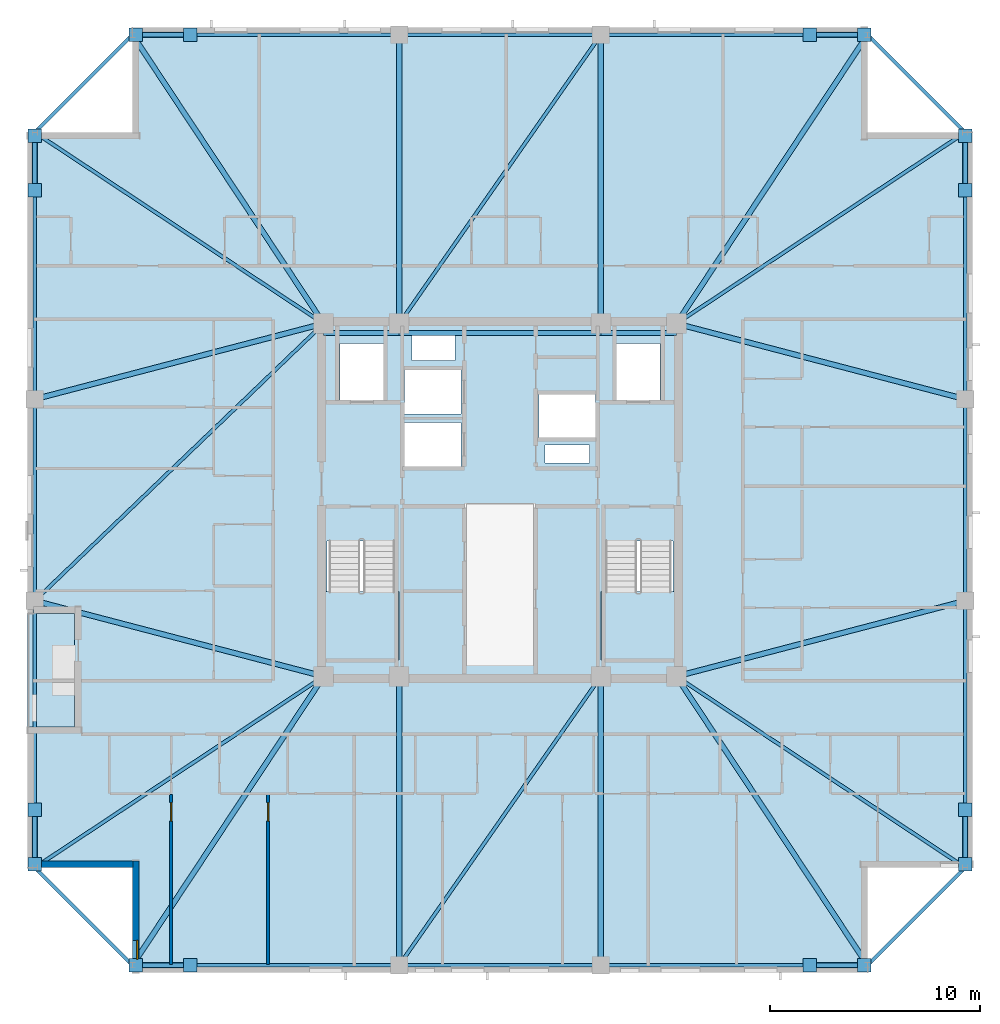
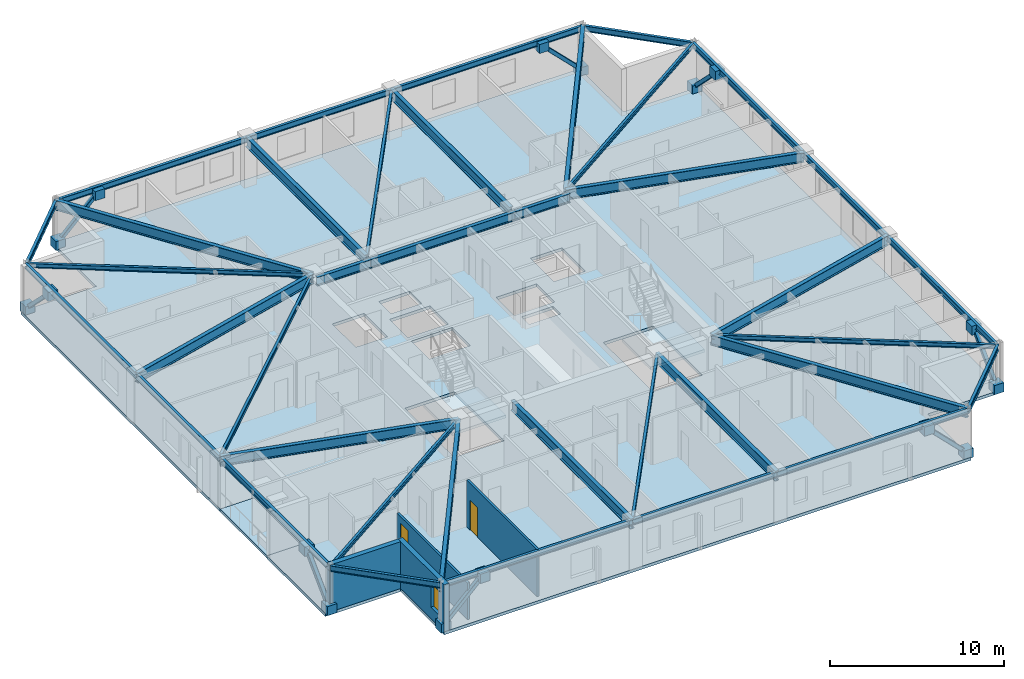
# One storey, part 6 of 16: 38 beams, 16 plates, 8 members, 4 slabs, 4 walls, 2 doors, 1 window, 3 openings, 2 elements without a shape of their own.
"""IFC4 building model written with IfcOpenShell, lengths in metres."""

from ifc_helpers import new_model, si_unit, direction, frame, frame_2d, origin, origin_2d, place, context, subcontext, project, spatial, polyline, rectangle, hollow_rectangle, i_section, outline, extrude, material, layer, layer_set, material_profile, profile_set, type_object, element, fill, aggregate, save


model = new_model("IFC4")

# Units and contexts
model_context = context("Model", 3, precision=1e-05, world=origin(), true_north=direction((0.0, 1.0)))
body_context = subcontext(model_context, "Body", "Model", "MODEL_VIEW")
ifc_project = project(units=[si_unit("LENGTHUNIT", "METRE"), si_unit("AREAUNIT", "SQUARE_METRE"), si_unit("VOLUMEUNIT", "CUBIC_METRE"), si_unit("PLANEANGLEUNIT", "RADIAN"), si_unit("MASSUNIT", "GRAM", prefix="KILO")], contexts=[model_context])

# Site, building, storey
site_placement = place(None, origin())
site = spatial("IfcSite", under=ifc_project, at=site_placement, CompositionType="ELEMENT")
building_placement = place(site_placement, origin())
building = spatial("IfcBuilding", under=site, at=building_placement, Name="Cairnveth Concourse Tower", CompositionType="ELEMENT")
storey_placement = place(building_placement, frame((0.0, 0.0, 255.0)))
storey = spatial("IfcBuildingStorey", under=building, at=storey_placement, Name="L70", CompositionType="ELEMENT", Elevation=255.0)

# Beams
ifc_material_1 = material(Name="Steel Grade 350", Category="steel")
ifc_material_profile_1 = material_profile(ifc_material_1, i_section(OverallWidth=0.22802734375, OverallDepth=0.60693359375, WebThickness=0.01123046875, FlangeThickness=0.017333984375, FilletRadius=0.013916015625, at=origin_2d()), Name="610UB113")
ifc_profile_set_1 = profile_set([ifc_material_profile_1], Name="Steel Grade 350")
beam_type_1 = type_object("IfcBeamType", Name="CORE TIE BEAM 610UB113", PredefinedType="T_BEAM", material=ifc_profile_set_1)
for number, where, z_axis, x_axis, name in (
    (1, (43.60009765625, 46.949951171875, 2.986572265625), (1.0, 0.0, 0.0), (0.0, 1.0, 0.0), "Beam CT-N1 L70"),
    (2, (56.800048828125, 46.949951171875, 2.986572265625), (1.0, 0.0, 0.0), (0.0, 1.0, 0.0), "Beam CT-N3 L70"),
):
    element("IfcBeam", number, at=place(storey_placement, frame(where, z_axis=z_axis, x_axis=x_axis)), inside=storey, type_object=beam_type_1, Name=name, PredefinedType="T_BEAM", context=body_context, shape_type="SweptSolid", body=[
        extrude(i_section(OverallWidth=0.22802734375, OverallDepth=0.60693359375, WebThickness=0.01123046875, FlangeThickness=0.017333984375, FilletRadius=0.013916015625, at=origin_2d()), origin(), (0.0, 0.0, 1.0), 3.599853515625),
    ])
beam_1_placement = place(storey_placement, frame((47.199951171875, 46.949951171875, 2.986572265625), z_axis=(1.0, 0.0, 0.0), x_axis=(0.0, 1.0, 0.0)))
element("IfcBeam", 3, at=beam_1_placement, inside=storey, type_object=beam_type_1, Name="Beam CT-N2 L70", PredefinedType="T_BEAM", context=body_context, shape_type="SweptSolid", body=[
    extrude(i_section(OverallWidth=0.22802734375, OverallDepth=0.60693359375, WebThickness=0.01123046875, FlangeThickness=0.017333984375, FilletRadius=0.013916015625, at=origin_2d()), origin(), (0.0, 0.0, 1.0), 9.60009765625),
])
ifc_material_profile_2 = material_profile(ifc_material_1, i_section(OverallWidth=0.166015625, OverallDepth=0.306884765625, WebThickness=0.006591796875, FlangeThickness=0.01171875, FilletRadius=0.010986328125, at=origin_2d()), Name="310UB46.2")
ifc_profile_set_2 = profile_set([ifc_material_profile_2], Name="Steel Grade 350")
beam_type_2 = type_object("IfcBeamType", Name="ZONE 3 FLOOR JOIST 310UB46.2", PredefinedType="JOIST", material=ifc_profile_set_2)
for number, where, z_axis, x_axis, name in (
    (4, (29.85009765625, 21.5, 3.136474609375), (0.833908956207, 0.551902031848, 0.0), (-0.551902031848, 0.833908956207, 0.0), "Beam FJ-CSW2 L70"),
    (5, (74.14990234375, 21.5, 3.136474609375), (-0.833908956207, 0.551902031848, 0.0), (-0.551902031848, -0.833908956207, 0.0), "Beam FJ-CSE2 L70"),
    (6, (74.14990234375, 56.5, 3.136474609375), (-0.833908956207, -0.551902031848, 0.0), (0.551902031848, -0.833908956207, 0.0), "Beam FJ-CNE2 L70"),
    (7, (29.85009765625, 56.5, 3.136474609375), (0.833908956207, -0.551902031848, 0.0), (0.551902031848, 0.833908956207, 0.0), "Beam FJ-CNW2 L70"),
):
    element("IfcBeam", number, at=place(storey_placement, frame(where, z_axis=z_axis, x_axis=x_axis)), inside=storey, type_object=beam_type_2, Name=name, PredefinedType="JOIST", context=body_context, shape_type="SweptSolid", body=[
        extrude(i_section(OverallWidth=0.166015625, OverallDepth=0.306884765625, WebThickness=0.006591796875, FlangeThickness=0.01171875, FilletRadius=0.010986328125, at=origin_2d()), origin(), (0.0, 0.0, 1.0), 16.488525390625),
    ])
for number, where, z_axis, x_axis, name in (
    (8, (47.199951171875, 16.85009765625, 3.136474609375), (0.572465304893, 0.819928944905, 0.0), (-0.819928944905, 0.572465304893, 0.0), "Beam FJ-S-M1 L70"),
    (9, (47.199951171875, 47.39990234375, 3.136474609375), (0.572465304893, 0.819928944905, 0.0), (-0.819928944905, 0.572465304893, 0.0), "Beam FJ-N-M1 L70"),
):
    element("IfcBeam", number, at=place(storey_placement, frame(where, z_axis=z_axis, x_axis=x_axis)), inside=storey, type_object=beam_type_2, Name=name, PredefinedType="JOIST", context=body_context, shape_type="SweptSolid", body=[
        extrude(i_section(OverallWidth=0.166015625, OverallDepth=0.306884765625, WebThickness=0.006591796875, FlangeThickness=0.01171875, FilletRadius=0.010986328125, at=origin_2d()), origin(), (0.0, 0.0, 1.0), 16.769775390625),
    ])
beam_2_placement = place(storey_placement, frame((29.85009765625, 34.199951171875, 3.136474609375), z_axis=(0.721388600838, 0.692530495055, 0.0), x_axis=(-0.692530495055, 0.721388600838, 0.0)))
element("IfcBeam", 10, at=beam_2_placement, inside=storey, type_object=beam_type_2, Name="Beam FJ-W-M1 L70", PredefinedType="JOIST", context=body_context, shape_type="SweptSolid", body=[
    extrude(i_section(OverallWidth=0.166015625, OverallDepth=0.306884765625, WebThickness=0.006591796875, FlangeThickness=0.01171875, FilletRadius=0.010986328125, at=origin_2d()), origin(), (0.0, 0.0, 1.0), 19.060546875),
])

# Members
ifc_material_2 = material(Name="Steel C350L0 (350 MPa)", Category="steel")
ifc_material_profile_3 = material_profile(ifc_material_2, hollow_rectangle(XDim=0.25, YDim=0.25, WallThickness=0.012451171875, InnerFilletRadius=0.012939453125, OuterFilletRadius=0.02490234375, at=origin_2d()), Name="250x250x12.5SHS")
ifc_profile_set_3 = profile_set([ifc_material_profile_3], Name="Steel C350L0 (350 MPa)")
member_type = type_object("IfcMemberType", Name="ZONE 3 PIER BRACE 250X250X12.5SHS", PredefinedType="BRACE", material=ifc_profile_set_3)
for number, where, z_axis, x_axis, name in (
    (11, (34.64990234375, 16.85009765625, 0.25), (0.708469186186, 0.0, 0.705741746126), (0.0, 1.0, 0.0), "Structural Brace PB-S1 L70"),
    (12, (69.35009765625, 16.85009765625, 0.25), (-0.708469186186, 0.0, 0.705741746126), (0.0, -1.0, 0.0), "Structural Brace PB-S2 L70"),
    (13, (34.64990234375, 61.14990234375, 0.25), (0.708469186186, 0.0, 0.705741746126), (0.0, 1.0, 0.0), "Structural Brace PB-N1 L70"),
    (14, (69.35009765625, 61.14990234375, 0.25), (-0.708469186186, 0.0, 0.705741746126), (0.0, -1.0, 0.0), "Structural Brace PB-N2 L70"),
    (15, (29.85009765625, 21.64990234375, 0.25), (0.0, 0.708469186186, 0.705741746126), (-1.0, 0.0, 0.0), "Structural Brace PB-W1 L70"),
    (16, (29.85009765625, 56.35009765625, 0.25), (0.0, -0.708469186186, 0.705741746126), (1.0, 0.0, 0.0), "Structural Brace PB-W2 L70"),
    (17, (74.14990234375, 21.64990234375, 0.25), (0.0, 0.708469186186, 0.705741746126), (-1.0, 0.0, 0.0), "Structural Brace PB-E1 L70"),
    (18, (74.14990234375, 56.35009765625, 0.25), (0.0, -0.708469186186, 0.705741746126), (1.0, 0.0, 0.0), "Structural Brace PB-E2 L70"),
):
    element("IfcMember", number, at=place(storey_placement, frame(where, z_axis=z_axis, x_axis=x_axis)), inside=storey, type_object=member_type, Name=name, PredefinedType="BRACE", context=body_context, shape_type="SweptSolid", body=[
        extrude(hollow_rectangle(XDim=0.25, YDim=0.25, WallThickness=0.012451171875, InnerFilletRadius=0.012939453125, OuterFilletRadius=0.02490234375, at=origin_2d()), origin(), (0.0, 0.0, 1.0), 3.669921875),
    ])

# Beams
ifc_material_profile_4 = material_profile(ifc_material_1, i_section(OverallWidth=0.25, OverallDepth=0.69189453125, WebThickness=0.010009765625, FlangeThickness=0.02490234375, at=origin_2d()), Name="700WB150")
ifc_profile_set_4 = profile_set([ifc_material_profile_4], Name="Steel Grade 350")
beam_type_3 = type_object("IfcBeamType", Name="ZONE 3 RADIAL GIRDER 700WB150", PredefinedType="BEAM", material=ifc_profile_set_4)
for number, where, z_axis, x_axis, name in (
    (19, (47.199951171875, 16.85009765625, 2.944091796875), (0.0, 1.0, 0.0), (-1.0, 0.0, 0.0), "Beam RG-S1 L70"),
    (20, (56.800048828125, 16.85009765625, 2.944091796875), (0.0, 1.0, 0.0), (-1.0, 0.0, 0.0), "Beam RG-S2 L70"),
    (21, (47.199951171875, 47.39990234375, 2.944091796875), (0.0, 1.0, 0.0), (-1.0, 0.0, 0.0), "Beam RG-N1 L70"),
    (22, (56.800048828125, 47.39990234375, 2.944091796875), (0.0, 1.0, 0.0), (-1.0, 0.0, 0.0), "Beam RG-N2 L70"),
):
    element("IfcBeam", number, at=place(storey_placement, frame(where, z_axis=z_axis, x_axis=x_axis)), inside=storey, type_object=beam_type_3, Name=name, PredefinedType="BEAM", context=body_context, shape_type="SweptSolid", body=[
        extrude(i_section(OverallWidth=0.25, OverallDepth=0.69189453125, WebThickness=0.010009765625, FlangeThickness=0.02490234375, at=origin_2d()), origin(), (0.0, 0.0, 1.0), 13.75),
    ])
for number, where, z_axis, x_axis, name in (
    (23, (29.85009765625, 34.199951171875, 2.944091796875), (0.967395273598, -0.253271365575, 0.0), (0.253271365575, 0.967395273598, 0.0), "Beam RG-W1 L70"),
    (24, (29.85009765625, 43.800048828125, 2.944091796875), (0.967395273598, 0.253271365575, 0.0), (-0.253271365575, 0.967395273598, 0.0), "Beam RG-W2 L70"),
    (25, (60.39990234375, 30.60009765625, 2.944091796875), (0.967395273598, 0.253271365575, 0.0), (-0.253271365575, 0.967395273598, 0.0), "Beam RG-E1 L70"),
    (26, (60.39990234375, 47.39990234375, 2.944091796875), (0.967395273598, -0.253271365575, 0.0), (0.253271365575, 0.967395273598, 0.0), "Beam RG-E2 L70"),
):
    element("IfcBeam", number, at=place(storey_placement, frame(where, z_axis=z_axis, x_axis=x_axis)), inside=storey, type_object=beam_type_3, Name=name, PredefinedType="BEAM", context=body_context, shape_type="SweptSolid", body=[
        extrude(i_section(OverallWidth=0.25, OverallDepth=0.69189453125, WebThickness=0.010009765625, FlangeThickness=0.02490234375, at=origin_2d()), origin(), (0.0, 0.0, 1.0), 14.21337890625),
    ])
for number, where, z_axis, x_axis, name in (
    (27, (34.5, 16.85009765625, 2.944091796875), (0.551902031848, 0.833908956207, 0.0), (-0.833908956207, 0.551902031848, 0.0), "Beam RG-CSW L70"),
    (28, (69.5, 16.85009765625, 2.944091796875), (-0.551902031848, 0.833908956207, 0.0), (-0.833908956207, -0.551902031848, 0.0), "Beam RG-CSE L70"),
    (29, (69.5, 61.14990234375, 2.944091796875), (-0.551902031848, -0.833908956207, 0.0), (0.833908956207, -0.551902031848, 0.0), "Beam RG-CNE L70"),
    (30, (34.5, 61.14990234375, 2.944091796875), (0.551902031848, -0.833908956207, 0.0), (0.833908956207, 0.551902031848, 0.0), "Beam RG-CNW L70"),
):
    element("IfcBeam", number, at=place(storey_placement, frame(where, z_axis=z_axis, x_axis=x_axis)), inside=storey, type_object=beam_type_3, Name=name, PredefinedType="BEAM", context=body_context, shape_type="SweptSolid", body=[
        extrude(i_section(OverallWidth=0.25, OverallDepth=0.69189453125, WebThickness=0.010009765625, FlangeThickness=0.02490234375, at=origin_2d()), origin(), (0.0, 0.0, 1.0), 16.488525390625),
    ])
ifc_material_profile_5 = material_profile(ifc_material_1, i_section(OverallWidth=0.177978515625, OverallDepth=0.406005859375, WebThickness=0.0078125, FlangeThickness=0.0126953125, FilletRadius=0.010986328125, at=origin_2d()), Name="410UB59.7")
ifc_profile_set_5 = profile_set([ifc_material_profile_5], Name="Steel Grade 350")
beam_type_4 = type_object("IfcBeamType", Name="ZONE 3 SPANDREL BEAM 410UB59.7", PredefinedType="SPANDREL", material=ifc_profile_set_5)
beam_3_placement = place(storey_placement, frame((34.5, 16.85009765625, 3.0869140625), z_axis=(1.0, 0.0, 0.0), x_axis=(0.0, 1.0, 0.0)))
element("IfcBeam", 31, at=beam_3_placement, inside=storey, type_object=beam_type_4, Name="Beam SP-S1 L70", PredefinedType="SPANDREL", context=body_context, shape_type="SweptSolid", body=[
    extrude(i_section(OverallWidth=0.177978515625, OverallDepth=0.406005859375, WebThickness=0.0078125, FlangeThickness=0.0126953125, FilletRadius=0.010986328125, at=origin_2d()), origin(), (0.0, 0.0, 1.0), 12.699951171875),
])
beam_4_placement = place(storey_placement, frame((47.199951171875, 16.85009765625, 3.0869140625), z_axis=(1.0, 0.0, 0.0), x_axis=(0.0, 1.0, 0.0)))
element("IfcBeam", 32, at=beam_4_placement, inside=storey, type_object=beam_type_4, Name="Beam SP-S2 L70", PredefinedType="SPANDREL", context=body_context, shape_type="SweptSolid", body=[
    extrude(i_section(OverallWidth=0.177978515625, OverallDepth=0.406005859375, WebThickness=0.0078125, FlangeThickness=0.0126953125, FilletRadius=0.010986328125, at=origin_2d()), origin(), (0.0, 0.0, 1.0), 9.60009765625),
])
for number, where, z_axis, x_axis, name in (
    (33, (56.800048828125, 16.85009765625, 3.0869140625), (1.0, 0.0, 0.0), (0.0, 1.0, 0.0), "Beam SP-S3 L70"),
    (34, (34.5, 61.14990234375, 3.0869140625), (1.0, 0.0, 0.0), (0.0, 1.0, 0.0), "Beam SP-N1 L70"),
):
    element("IfcBeam", number, at=place(storey_placement, frame(where, z_axis=z_axis, x_axis=x_axis)), inside=storey, type_object=beam_type_4, Name=name, PredefinedType="SPANDREL", context=body_context, shape_type="SweptSolid", body=[
        extrude(i_section(OverallWidth=0.177978515625, OverallDepth=0.406005859375, WebThickness=0.0078125, FlangeThickness=0.0126953125, FilletRadius=0.010986328125, at=origin_2d()), origin(), (0.0, 0.0, 1.0), 12.699951171875),
    ])
beam_5_placement = place(storey_placement, frame((47.199951171875, 61.14990234375, 3.0869140625), z_axis=(1.0, 0.0, 0.0), x_axis=(0.0, 1.0, 0.0)))
element("IfcBeam", 35, at=beam_5_placement, inside=storey, type_object=beam_type_4, Name="Beam SP-N2 L70", PredefinedType="SPANDREL", context=body_context, shape_type="SweptSolid", body=[
    extrude(i_section(OverallWidth=0.177978515625, OverallDepth=0.406005859375, WebThickness=0.0078125, FlangeThickness=0.0126953125, FilletRadius=0.010986328125, at=origin_2d()), origin(), (0.0, 0.0, 1.0), 9.60009765625),
])
for number, where, z_axis, x_axis, name in (
    (36, (56.800048828125, 61.14990234375, 3.0869140625), (1.0, 0.0, 0.0), (0.0, 1.0, 0.0), "Beam SP-N3 L70"),
    (37, (29.85009765625, 21.5, 3.0869140625), (0.0, 1.0, 0.0), (-1.0, 0.0, 0.0), "Beam SP-W1 L70"),
):
    element("IfcBeam", number, at=place(storey_placement, frame(where, z_axis=z_axis, x_axis=x_axis)), inside=storey, type_object=beam_type_4, Name=name, PredefinedType="SPANDREL", context=body_context, shape_type="SweptSolid", body=[
        extrude(i_section(OverallWidth=0.177978515625, OverallDepth=0.406005859375, WebThickness=0.0078125, FlangeThickness=0.0126953125, FilletRadius=0.010986328125, at=origin_2d()), origin(), (0.0, 0.0, 1.0), 12.699951171875),
    ])
beam_6_placement = place(storey_placement, frame((29.85009765625, 34.199951171875, 3.0869140625), z_axis=(0.0, 1.0, 0.0), x_axis=(-1.0, 0.0, 0.0)))
element("IfcBeam", 38, at=beam_6_placement, inside=storey, type_object=beam_type_4, Name="Beam SP-W2 L70", PredefinedType="SPANDREL", context=body_context, shape_type="SweptSolid", body=[
    extrude(i_section(OverallWidth=0.177978515625, OverallDepth=0.406005859375, WebThickness=0.0078125, FlangeThickness=0.0126953125, FilletRadius=0.010986328125, at=origin_2d()), origin(), (0.0, 0.0, 1.0), 9.60009765625),
])
for number, where, z_axis, x_axis, name in (
    (39, (29.85009765625, 43.800048828125, 3.0869140625), (0.0, 1.0, 0.0), (-1.0, 0.0, 0.0), "Beam SP-W3 L70"),
    (40, (74.14990234375, 21.5, 3.0869140625), (0.0, 1.0, 0.0), (-1.0, 0.0, 0.0), "Beam SP-E1 L70"),
):
    element("IfcBeam", number, at=place(storey_placement, frame(where, z_axis=z_axis, x_axis=x_axis)), inside=storey, type_object=beam_type_4, Name=name, PredefinedType="SPANDREL", context=body_context, shape_type="SweptSolid", body=[
        extrude(i_section(OverallWidth=0.177978515625, OverallDepth=0.406005859375, WebThickness=0.0078125, FlangeThickness=0.0126953125, FilletRadius=0.010986328125, at=origin_2d()), origin(), (0.0, 0.0, 1.0), 12.699951171875),
    ])
beam_7_placement = place(storey_placement, frame((74.14990234375, 34.199951171875, 3.0869140625), z_axis=(0.0, 1.0, 0.0), x_axis=(-1.0, 0.0, 0.0)))
element("IfcBeam", 41, at=beam_7_placement, inside=storey, type_object=beam_type_4, Name="Beam SP-E2 L70", PredefinedType="SPANDREL", context=body_context, shape_type="SweptSolid", body=[
    extrude(i_section(OverallWidth=0.177978515625, OverallDepth=0.406005859375, WebThickness=0.0078125, FlangeThickness=0.0126953125, FilletRadius=0.010986328125, at=origin_2d()), origin(), (0.0, 0.0, 1.0), 9.60009765625),
])
beam_8_placement = place(storey_placement, frame((74.14990234375, 43.800048828125, 3.0869140625), z_axis=(0.0, 1.0, 0.0), x_axis=(-1.0, 0.0, 0.0)))
element("IfcBeam", 42, at=beam_8_placement, inside=storey, type_object=beam_type_4, Name="Beam SP-E3 L70", PredefinedType="SPANDREL", context=body_context, shape_type="SweptSolid", body=[
    extrude(i_section(OverallWidth=0.177978515625, OverallDepth=0.406005859375, WebThickness=0.0078125, FlangeThickness=0.0126953125, FilletRadius=0.010986328125, at=origin_2d()), origin(), (0.0, 0.0, 1.0), 12.699951171875),
])
for number, where, z_axis, x_axis, name in (
    (43, (29.85009765625, 21.5, 3.0869140625), (0.707106781187, -0.707106781187, 0.0), (0.707106781187, 0.707106781187, 0.0), "Beam SP-SW L70"),
    (44, (69.5, 16.85009765625, 3.0869140625), (0.707106781187, 0.707106781187, 0.0), (-0.707106781187, 0.707106781187, 0.0), "Beam SP-SE L70"),
    (45, (69.5, 61.14990234375, 3.0869140625), (0.707106781187, -0.707106781187, 0.0), (0.707106781187, 0.707106781187, 0.0), "Beam SP-NE L70"),
    (46, (29.85009765625, 56.5, 3.0869140625), (0.707106781187, 0.707106781187, 0.0), (-0.707106781187, 0.707106781187, 0.0), "Beam SP-NW L70"),
):
    element("IfcBeam", number, at=place(storey_placement, frame(where, z_axis=z_axis, x_axis=x_axis)), inside=storey, type_object=beam_type_4, Name=name, PredefinedType="SPANDREL", context=body_context, shape_type="SweptSolid", body=[
        extrude(i_section(OverallWidth=0.177978515625, OverallDepth=0.406005859375, WebThickness=0.0078125, FlangeThickness=0.0126953125, FilletRadius=0.010986328125, at=origin_2d()), origin(), (0.0, 0.0, 1.0), 6.575927734375),
    ])

# Plates
ifc_layer_1 = layer(ifc_material_1, 0.031982421875)
ifc_layer_set_1 = layer_set([ifc_layer_1], Name="Steel Grade 350")
plate_type = type_object("IfcPlateType", Name="PERIMETER BRACE GUSSET PLATE 32", PredefinedType="USERDEFINED", material=ifc_layer_set_1)
for number, where, z_axis, x_axis, name in (
    (47, (34.64990234375, 16.85009765625, -0.06982421875), (0.0, 0.0, 1.0), (1.0, 0.0, 0.0), "Structural Node Plate 1205 L70"),
    (48, (37.25, 16.85009765625, 2.52001953125), (0.0, 0.0, 1.0), (1.0, 0.0, 0.0), "Structural Node Plate 1206 L70"),
    (49, (69.35009765625, 16.85009765625, -0.06982421875), (0.0, 0.0, 1.0), (1.0, 0.0, 0.0), "Structural Node Plate 1207 L70"),
    (50, (66.75, 16.85009765625, 2.52001953125), (0.0, 0.0, 1.0), (1.0, 0.0, 0.0), "Structural Node Plate 1208 L70"),
    (51, (34.64990234375, 61.14990234375, -0.06982421875), (0.0, 0.0, 1.0), (1.0, 0.0, 0.0), "Structural Node Plate 1209 L70"),
    (52, (37.25, 61.14990234375, 2.52001953125), (0.0, 0.0, 1.0), (1.0, 0.0, 0.0), "Structural Node Plate 1210 L70"),
    (53, (69.35009765625, 61.14990234375, -0.06982421875), (0.0, 0.0, 1.0), (1.0, 0.0, 0.0), "Structural Node Plate 1211 L70"),
    (54, (66.75, 61.14990234375, 2.52001953125), (0.0, 0.0, 1.0), (1.0, 0.0, 0.0), "Structural Node Plate 1212 L70"),
    (55, (29.85009765625, 21.64990234375, -0.06982421875), (0.0, 0.0, 1.0), (1.0, 0.0, 0.0), "Structural Node Plate 1213 L70"),
    (56, (29.85009765625, 24.25, 2.52001953125), (0.0, 0.0, 1.0), (1.0, 0.0, 0.0), "Structural Node Plate 1214 L70"),
    (57, (29.85009765625, 56.35009765625, -0.06982421875), (0.0, 0.0, 1.0), (1.0, 0.0, 0.0), "Structural Node Plate 1215 L70"),
    (58, (29.85009765625, 53.75, 2.52001953125), (0.0, 0.0, 1.0), (1.0, 0.0, 0.0), "Structural Node Plate 1216 L70"),
    (59, (74.14990234375, 21.64990234375, -0.06982421875), (0.0, 0.0, 1.0), (1.0, 0.0, 0.0), "Structural Node Plate 1217 L70"),
    (60, (74.14990234375, 24.25, 2.52001953125), (0.0, 0.0, 1.0), (1.0, 0.0, 0.0), "Structural Node Plate 1218 L70"),
    (61, (74.14990234375, 56.35009765625, -0.06982421875), (0.0, 0.0, 1.0), (1.0, 0.0, 0.0), "Structural Node Plate 1219 L70"),
    (62, (74.14990234375, 53.75, 2.52001953125), (0.0, 0.0, 1.0), (1.0, 0.0, 0.0), "Structural Node Plate 1220 L70"),
):
    element("IfcPlate", number, at=place(storey_placement, frame(where, z_axis=z_axis, x_axis=x_axis)), inside=storey, type_object=plate_type, Name=name, ObjectType="GUSSET PLATE", PredefinedType="USERDEFINED", context=body_context, shape_type="SweptSolid", body=[
        extrude(rectangle(XDim=0.639892578125, YDim=0.639892578125, at=origin_2d()), origin(), (0.0, 0.0, 1.0), 0.639892578125),
    ])

# Slab
ifc_material_3 = material(Name="Concrete N50 (50 MPa)", Category="concrete")
ifc_layer_2 = layer(ifc_material_3, 0.18994140625)
ifc_layer_set_2 = layer_set([ifc_layer_2], Name="Concrete N50 (50 MPa)")
slab_type_1 = type_object("IfcSlabType", Name="SPIRAL OUTDOOR TERRACE SLAB 190", PredefinedType="FLOOR", material=ifc_layer_set_2)
slab_1_placement = place(storey_placement, frame((0.0, 0.0, -0.18994140625)))
element("IfcSlab", 63, at=slab_1_placement, inside=storey, type_object=slab_type_1, Name="Spiral Terrace Slab L70", PredefinedType="FLOOR", context=body_context, shape_type="SweptSolid", body=[
    extrude(outline(polyline([(29.5, 28.199951171875), (31.75, 28.199951171875), (31.75, 33.60009765625), (29.5, 33.60009765625), (29.5, 28.199951171875)])), origin(), (0.0, 0.0, 1.0), 0.18994140625),
])

# Stair, slab
ifc_material_4 = material(Name="Precast concrete N50 (50 MPa)", Category="concrete")
stair_type = type_object("IfcStairType", Name="CORE DOG-LEG FIRE STAIR 1500", PredefinedType="HALF_TURN_STAIR", material=ifc_material_4)
stair_1_placement = place(storey_placement, origin())
stair_1 = element("IfcStair", 64, at=stair_1_placement, inside=storey, type_object=stair_type, Name="L70 Fire-Isolated Stair ST-1", PredefinedType="HALF_TURN_STAIR")
ifc_layer_3 = layer(ifc_material_3, 0.199951171875)
ifc_layer_set_3 = layer_set([ifc_layer_3], Name="Concrete N50 (50 MPa)")
slab_type_2 = type_object("IfcSlabType", Name="STAIR HALF LANDING SLAB 200", PredefinedType="LANDING", material=ifc_layer_set_3)
slab_2_placement = place(storey_placement, frame((0.0, 0.0, 1.550048828125)))
slab_2 = element("IfcSlab", 65, at=slab_2_placement, type_object=slab_type_2, Name="ST-1 landing 1", PredefinedType="LANDING", context=body_context, shape_type="SweptSolid", body=[
    extrude(outline(polyline([(43.6201171875, 34.639892578125), (43.6201171875, 31.3701171875), (47.199951171875, 31.3701171875), (47.199951171875, 34.639892578125), (43.6201171875, 34.639892578125)])), origin(), (0.0, 0.0, 1.0), 0.199951171875),
])
aggregate(stair_1, [slab_2])

stair_2_placement = place(storey_placement, origin())
stair_2 = element("IfcStair", 66, at=stair_2_placement, inside=storey, type_object=stair_type, Name="L70 Fire-Isolated Stair ST-2", PredefinedType="HALF_TURN_STAIR")
slab_3_placement = place(storey_placement, frame((0.0, 0.0, 1.550048828125)))
slab_3 = element("IfcSlab", 67, at=slab_3_placement, type_object=slab_type_2, Name="ST-2 landing 1", PredefinedType="LANDING", context=body_context, shape_type="SweptSolid", body=[
    extrude(outline(polyline([(56.800048828125, 34.639892578125), (56.800048828125, 31.3701171875), (60.3798828125, 31.3701171875), (60.3798828125, 34.639892578125), (56.800048828125, 34.639892578125)])), origin(), (0.0, 0.0, 1.0), 0.199951171875),
])
aggregate(stair_2, [slab_3])

# Slab
ifc_layer_4 = layer(ifc_material_3, 0.2099609375)
ifc_layer_set_4 = layer_set([ifc_layer_4], Name="Concrete N50 (50 MPa)")
slab_type_3 = type_object("IfcSlabType", Name="UPPER TOWER COMPOSITE SLAB 210", PredefinedType="FLOOR", material=ifc_layer_set_4)
slab_4_placement = place(storey_placement, frame((0.0, 0.0, -0.2099609375)))
element("IfcSlab", 68, at=slab_4_placement, inside=storey, type_object=slab_type_3, Name="Tower Floor Slab L70", PredefinedType="FLOOR", context=body_context, shape_type="SweptSolid", body=[
    extrude(outline(polyline([(29.5, 33.60009765625), (31.75, 33.60009765625), (31.75, 28.199951171875), (29.5, 28.199951171875), (29.5, 21.5), (34.5, 21.5), (34.5, 16.5), (69.5, 16.5), (69.5, 21.5), (74.5, 21.5), (74.5, 56.5), (69.5, 56.5), (69.5, 61.5), (34.5, 61.5), (34.5, 56.5), (29.5, 56.5), (29.5, 33.60009765625)]), holes=[polyline([(43.760009765625, 31.360107421875), (47.06005859375, 31.360107421875), (47.06005859375, 37.0400390625), (43.760009765625, 37.0400390625), (43.760009765625, 31.360107421875)]), polyline([(56.93994140625, 31.360107421875), (60.239990234375, 31.360107421875), (60.239990234375, 37.0400390625), (56.93994140625, 37.0400390625), (56.93994140625, 31.360107421875)]), polyline([(44.3701171875, 43.75), (46.469970703125, 43.75), (46.469970703125, 46.449951171875), (44.3701171875, 46.449951171875), (44.3701171875, 43.75)]), polyline([(57.530029296875, 43.75), (59.6298828125, 43.75), (59.6298828125, 46.449951171875), (57.530029296875, 46.449951171875), (57.530029296875, 43.75)]), polyline([(47.449951171875, 40.60009765625), (50.14990234375, 40.60009765625), (50.14990234375, 42.699951171875), (47.449951171875, 42.699951171875), (47.449951171875, 40.60009765625)]), polyline([(47.449951171875, 43.10009765625), (50.14990234375, 43.10009765625), (50.14990234375, 45.199951171875), (47.449951171875, 45.199951171875), (47.449951171875, 43.10009765625)]), polyline([(53.85009765625, 41.949951171875), (56.550048828125, 41.949951171875), (56.550048828125, 44.050048828125), (53.85009765625, 44.050048828125), (53.85009765625, 41.949951171875)]), polyline([(47.800048828125, 45.64990234375), (49.85009765625, 45.64990234375), (49.85009765625, 47.050048828125), (47.800048828125, 47.050048828125), (47.800048828125, 45.64990234375)]), polyline([(54.14990234375, 40.75), (56.25, 40.75), (56.25, 41.6201171875), (54.14990234375, 41.6201171875), (54.14990234375, 40.75)])]), origin(), (0.0, 0.0, 1.0), 0.2099609375),
])

# Wall, opening, door
ifc_material_5 = material(Name="Gypsum Plasterboard Partition", Category="gypsum")
ifc_layer_5 = layer(ifc_material_5, 0.139892578125)
ifc_layer_set_5 = layer_set([ifc_layer_5], Name="Gypsum Plasterboard Partition")
wall_type_1 = type_object("IfcWallType", Name="GYPSUM STUD PARTITION 140", PredefinedType="PARTITIONING", material=ifc_layer_set_5)
wall_1_placement = place(storey_placement, frame((36.34130859375, 16.8798828125, 0.0), z_axis=(0.0, 0.0, 1.0), x_axis=(0.0, 1.0, 0.0)))
wall_1 = element("IfcWall", 69, at=wall_1_placement, inside=storey, type_object=wall_type_1, Name="Interior Wall IW-L70-049", PredefinedType="PARTITIONING", context=body_context, shape_type="SweptSolid", body=[
    extrude(rectangle(XDim=8.087646484375, YDim=0.139892578125, at=frame_2d((4.0439453125, 0.0))), origin(), (0.0, 0.0, 1.0), 2.572998046875),
])
opening_1_placement = place(wall_1_placement, frame((6.827392578125, 0.0, 0.0)))
opening_1 = element("IfcOpeningElement", 70, at=opening_1_placement, cuts=wall_1, Name="Opening ID18", PredefinedType="OPENING", context=body_context, shape_type="SweptSolid", body=[
    extrude(rectangle(XDim=0.8798828125, YDim=2.10009765625, at=frame_2d((0.43994140625, 1.050048828125))), frame((0.0, 0.079833984375, 0.0), z_axis=(0.0, -1.0, 0.0), x_axis=(1.0, 0.0, 0.0)), (0.0, 0.0, 1.0), 0.159912109375),
])
ifc_material_6 = material(Name="Solid Core Hardwood Timber Leaf", Category="wood")
door_type = type_object("IfcDoorType", Name="INTERIOR SINGLE DOOR 880X2100", OperationType="NOTDEFINED", PredefinedType="DOOR", material=ifc_material_6)
door_1_placement = place(opening_1_placement, origin())
door_1 = element("IfcDoor", 71, at=door_1_placement, inside=storey, type_object=door_type, Name="L70S1 Master Bedroom Door", OperationType="SINGLE_SWING_RIGHT", OverallHeight=2.10009765625, OverallWidth=0.8798828125, PredefinedType="DOOR", context=body_context, shape_type="SweptSolid", body=[
    extrude(rectangle(XDim=0.8798828125, YDim=2.10009765625, at=frame_2d((0.43994140625, 1.050048828125))), frame((0.0, 0.02490234375, 0.0), z_axis=(0.0, -1.0, 0.0), x_axis=(1.0, 0.0, 0.0)), (0.0, 0.0, 1.0), 0.050048828125),
])
fill(opening_1, door_1)

wall_2_placement = place(storey_placement, frame((40.96240234375, 16.8798828125, 0.0), z_axis=(0.0, 0.0, 1.0), x_axis=(0.0, 1.0, 0.0)))
wall_2 = element("IfcWall", 72, at=wall_2_placement, inside=storey, type_object=wall_type_1, Name="Interior Wall IW-L70-050", PredefinedType="PARTITIONING", context=body_context, shape_type="SweptSolid", body=[
    extrude(rectangle(XDim=8.087646484375, YDim=0.139892578125, at=frame_2d((4.0439453125, 0.0))), origin(), (0.0, 0.0, 1.0), 3.2900390625),
])
opening_2_placement = place(wall_2_placement, frame((6.827392578125, 0.0, 0.0)))
opening_2 = element("IfcOpeningElement", 73, at=opening_2_placement, cuts=wall_2, Name="Opening ID18", PredefinedType="OPENING", context=body_context, shape_type="SweptSolid", body=[
    extrude(rectangle(XDim=0.8798828125, YDim=2.10009765625, at=frame_2d((0.43994140625, 1.050048828125))), frame((0.0, 0.079833984375, 0.0), z_axis=(0.0, -1.0, 0.0), x_axis=(1.0, 0.0, 0.0)), (0.0, 0.0, 1.0), 0.159912109375),
])
door_2_placement = place(opening_2_placement, origin())
door_2 = element("IfcDoor", 74, at=door_2_placement, inside=storey, type_object=door_type, Name="L70S1 Bedroom 2 Door", OperationType="SINGLE_SWING_RIGHT", OverallHeight=2.10009765625, OverallWidth=0.8798828125, PredefinedType="DOOR", context=body_context, shape_type="SweptSolid", body=[
    extrude(rectangle(XDim=0.8798828125, YDim=2.10009765625, at=frame_2d((0.43994140625, 1.050048828125))), frame((0.0, 0.02490234375, 0.0), z_axis=(0.0, -1.0, 0.0), x_axis=(1.0, 0.0, 0.0)), (0.0, 0.0, 1.0), 0.050048828125),
])
fill(opening_2, door_2)

# Wall, opening, window
ifc_material_7 = material(Name="Melbourne Buff Fired Clay Brick Masonry", Category="masonry")
ifc_layer_6 = layer(ifc_material_7, 0.320068359375)
ifc_layer_set_6 = layer_set([ifc_layer_6], Name="Melbourne Buff Fired Clay Brick Masonry")
wall_type_2 = type_object("IfcWallType", Name="ZONE 3 BRICK PIER SPANDREL WALL 320", PredefinedType="SOLIDWALL", material=ifc_layer_set_6)
wall_3_placement = place(storey_placement, frame((34.659912109375, 16.5, 0.0), z_axis=(0.0, 0.0, 1.0), x_axis=(0.0, 1.0, 0.0)))
wall_3 = element("IfcWall", 75, at=wall_3_placement, inside=storey, type_object=wall_type_2, Name="Exterior Wall EW-L70-S10", PredefinedType="SOLIDWALL", context=body_context, shape_type="SweptSolid", body=[
    extrude(rectangle(XDim=5.320068359375, YDim=0.320068359375, at=frame_2d((2.66015625, 0.0))), origin(), (0.0, 0.0, 1.0), 3.2900390625),
])
opening_3_placement = place(wall_3_placement, frame((0.6298828125, 0.0, 0.800048828125)))
opening_3 = element("IfcOpeningElement", 76, at=opening_3_placement, cuts=wall_3, Name="Opening W13", PredefinedType="OPENING", context=body_context, shape_type="SweptSolid", body=[
    extrude(rectangle(XDim=0.89990234375, YDim=1.677978515625, at=frame_2d((0.449951171875, 0.8388671875))), frame((0.0, 0.169921875, 0.0), z_axis=(0.0, -1.0, 0.0), x_axis=(1.0, 0.0, 0.0)), (0.0, 0.0, 1.0), 0.340087890625),
])
ifc_material_8 = material(Name="Double Glazed Low-E Clear Glass", Category="glass")
window_type = type_object("IfcWindowType", Name="DEEP-SET BEDROOM LANCET WINDOW 900X1750", PartitioningType="DOUBLE_PANEL_VERTICAL", PredefinedType="WINDOW", material=ifc_material_8)
window_placement = place(opening_3_placement, origin())
window = element("IfcWindow", 77, at=window_placement, inside=storey, type_object=window_type, Name="Dwelling Lancet Window L70-DW1", OverallHeight=1.677978515625, OverallWidth=0.89990234375, PartitioningType="SINGLE_PANEL", PredefinedType="WINDOW", context=body_context, shape_type="SweptSolid", body=[
    extrude(rectangle(XDim=0.89990234375, YDim=1.677978515625, at=frame_2d((0.449951171875, 0.8388671875))), frame((0.0, -0.0400390625, 0.0), z_axis=(0.0, -1.0, 0.0), x_axis=(1.0, 0.0, 0.0)), (0.0, 0.0, 1.0), 0.06005859375),
])
fill(opening_3, window)

# Wall
wall_4_placement = place(storey_placement, frame((34.52197265625, 21.659912109375, 0.0), z_axis=(0.0, 0.0, 1.0), x_axis=(-1.0, 0.0, 0.0)))
element("IfcWall", 78, at=wall_4_placement, inside=storey, type_object=wall_type_2, Name="Exterior Wall EW-L70-S11", PredefinedType="SOLIDWALL", context=body_context, shape_type="SweptSolid", body=[
    extrude(rectangle(XDim=4.723876953125, YDim=0.320068359375, at=frame_2d((2.36181640625, 0.0))), origin(), (0.0, 0.0, 1.0), 3.2900390625),
])

save(model, "model.ifc")
